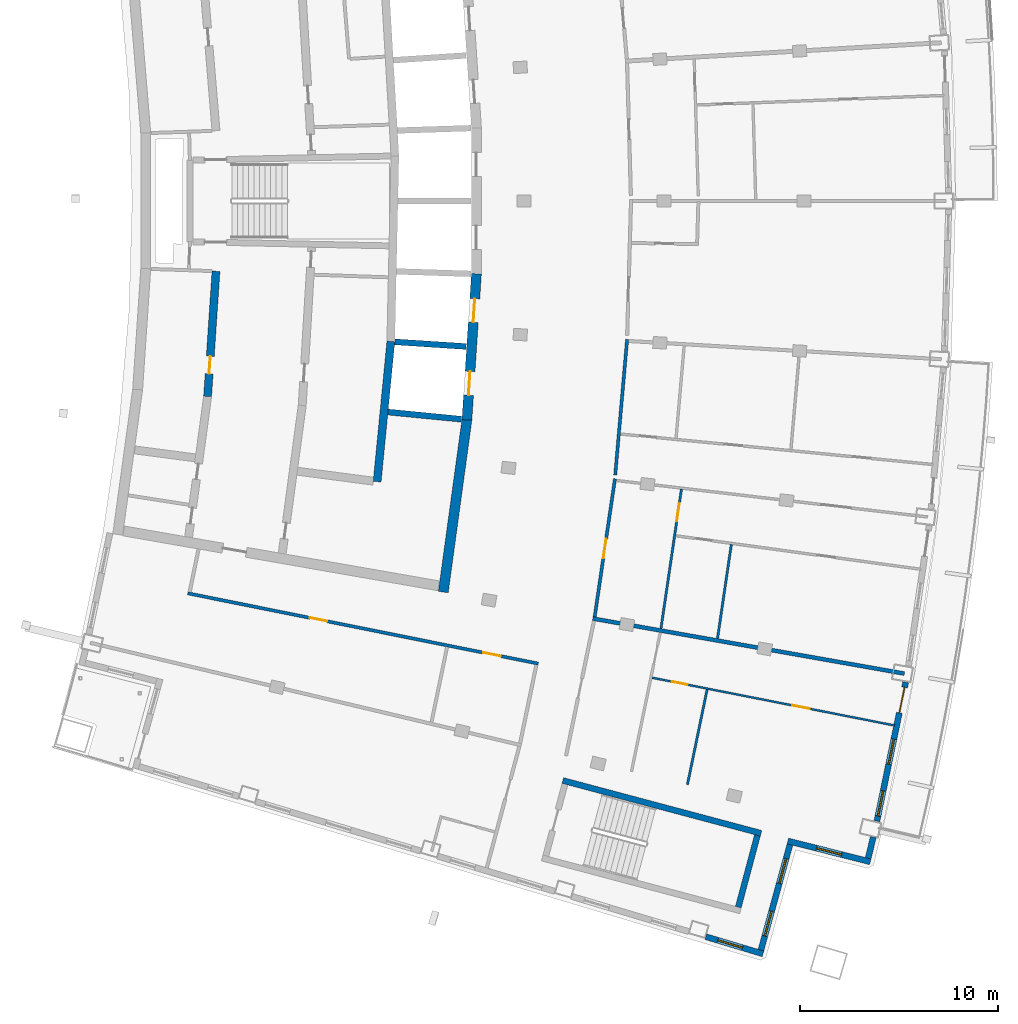
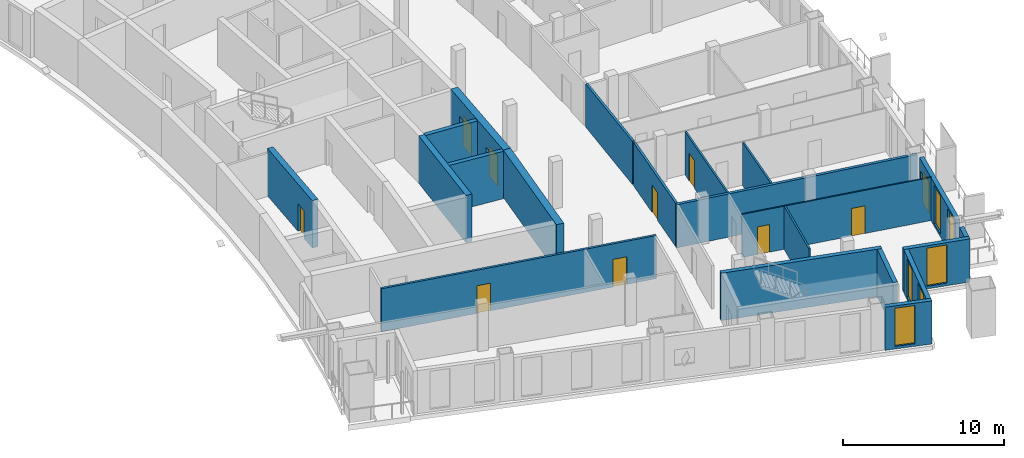
# One storey, part 8 of 15: 21 walls, 10 doors, 6 windows, 16 openings.
"""IFC4 building model written with IfcOpenShell, lengths in metres."""

import ifcopenshell
import ifcopenshell.guid

model = None  # the IFC model being written
_history = None  # IfcOwnerHistory: only IFC2X3 demands one
_inside = {}  # id of a spatial element -> (the spatial element, [elements in it])
_under = {}  # id of a project, library or spatial element -> (it, [spatial elements below it])
_declared = {}  # id of a project -> (the project, [libraries it declares])
_typed = {}  # id of a type object -> (the type object, [elements of that type])
_made_of = {}  # id of a material, layer set ... -> (it, [elements and type objects made of it])


def new_model(schema):
    """Start an empty IFC model of exactly this schema.

    Asked for "IFC4X3", IfcOpenShell would pick the latest addendum, in which some entities
    have other attributes; the version numbers below select the first issue.
    IFC2X3 requires an IfcOwnerHistory on every rooted entity: one is made here for all.
    """
    global model, _history
    if schema == "IFC4X3":
        model = ifcopenshell.file(schema_version=(4, 3, 0, 0))
    else:
        model = ifcopenshell.file(schema=schema)
    _inside.clear()
    _under.clear()
    _declared.clear()
    _typed.clear()
    _made_of.clear()
    _history = None
    if model.schema == "IFC2X3":
        org = make("IfcOrganization", Name="unknown")
        user = make(
            "IfcPersonAndOrganization",
            ThePerson=make("IfcPerson", FamilyName="unknown"),
            TheOrganization=org,
        )
        app = make(
            "IfcApplication",
            ApplicationDeveloper=org,
            Version="unknown",
            ApplicationFullName="unknown",
            ApplicationIdentifier="unknown",
        )
        _history = make(
            "IfcOwnerHistory",
            OwningUser=user,
            OwningApplication=app,
            ChangeAction="ADDED",
            CreationDate=0,
        )
    return model


def make(cls, **values):
    """One entity of the class cls with the attributes given. An attribute that is None is left unset."""
    return model.create_entity(
        cls, **{name: value for name, value in values.items() if value is not None}
    )


def rooted(cls, **values):
    """An entity with a GlobalId (a new one), such as an element, a storey or a relation."""
    return make(cls, GlobalId=ifcopenshell.guid.new(), OwnerHistory=_history, **values)


def si_unit(unit_type, name, prefix=None):
    """IfcSIUnit, for example si_unit("LENGTHUNIT", "METRE", prefix="MILLI")."""
    return make("IfcSIUnit", UnitType=unit_type, Prefix=prefix, Name=name)


def assignment(units):
    """IfcUnitAssignment: the units of a project."""
    return None if units is None else make("IfcUnitAssignment", Units=units)


def point(xyz):
    """IfcCartesianPoint."""
    return None if xyz is None else make("IfcCartesianPoint", Coordinates=xyz)


def direction(xyz):
    """IfcDirection."""
    return None if xyz is None else make("IfcDirection", DirectionRatios=xyz)


def frame(location, z_axis=None, x_axis=None):
    """IfcAxis2Placement3D, a coordinate frame: its origin and axes. An axis left out is left unset."""
    return make(
        "IfcAxis2Placement3D",
        Location=point(location),
        Axis=direction(z_axis),
        RefDirection=direction(x_axis),
    )


def frame_2d(location, x_axis=None):
    """IfcAxis2Placement2D, a coordinate frame in the plane: its origin and x axis."""
    return make(
        "IfcAxis2Placement2D", Location=point(location), RefDirection=direction(x_axis)
    )


def origin():
    """The frame at (0, 0, 0) with its axes left unset."""
    return frame((0.0, 0.0, 0.0))


def place(relative_to, where):
    """IfcLocalPlacement: puts the frame where relative to a parent placement (None: the world)."""
    return make(
        "IfcLocalPlacement", PlacementRelTo=relative_to, RelativePlacement=where
    )


def context(
    kind, dimensions, precision=None, world=None, true_north=None, identifier=None
):
    """IfcGeometricRepresentationContext, for example the 3D "Model" context."""
    return make(
        "IfcGeometricRepresentationContext",
        ContextIdentifier=identifier,
        ContextType=kind,
        CoordinateSpaceDimension=dimensions,
        Precision=precision,
        WorldCoordinateSystem=world,
        TrueNorth=true_north,
    )


def subcontext(parent, identifier, kind, view, scale=None):
    """IfcGeometricRepresentationSubContext, for example "Body" below "Model"."""
    return make(
        "IfcGeometricRepresentationSubContext",
        ContextIdentifier=identifier,
        ContextType=kind,
        ParentContext=parent,
        TargetScale=scale,
        TargetView=view,
    )


def project(units=None, contexts=None):
    """IfcProject with its units and contexts."""
    return rooted(
        "IfcProject",
        Name="project",
        RepresentationContexts=contexts,
        UnitsInContext=assignment(units),
    )


def spatial(cls, under=None, at=None, **own):
    """A site, building, storey or space (cls), placed at a placement, below another one or the project."""
    s = rooted(cls, ObjectPlacement=at, **own)
    if under is not None:
        _under.setdefault(under.id(), (under, []))[1].append(s)
    return s


def profile(cls, at=None, kind="AREA", **sizes):
    """A parametric profile (cls). Its sizes go by their IFC names, for example OverallWidth=200.0."""
    return make(cls, ProfileType=kind, Position=at, **sizes)


def rectangle(**sizes):
    """IfcRectangleProfileDef."""
    return profile("IfcRectangleProfileDef", **sizes)


def extrude(swept, where, along, depth):
    """IfcExtrudedAreaSolid: the profile swept, set in the frame where, extruded along a direction by depth."""
    return make(
        "IfcExtrudedAreaSolid",
        SweptArea=swept,
        Position=where,
        ExtrudedDirection=direction(along),
        Depth=depth,
    )


def shape(context_of_items, identifier, shape_type, items):
    """IfcShapeRepresentation: the items that make up one representation, for example the "Body"."""
    return make(
        "IfcShapeRepresentation",
        ContextOfItems=context_of_items,
        RepresentationIdentifier=identifier,
        RepresentationType=shape_type,
        Items=items,
    )


def material(Name=None, Category=None):
    """IfcMaterial."""
    return make("IfcMaterial", Name=Name, Category=Category)


def layer(
    of_material, thickness, ventilated=None, Name=None, Category=None, Priority=None
):
    """IfcMaterialLayer: one layer of a wall or slab, of a material (None: an air gap)."""
    return make(
        "IfcMaterialLayer",
        Material=of_material,
        LayerThickness=thickness,
        IsVentilated=ventilated,
        Name=Name,
        Category=Category,
        Priority=Priority,
    )


def layer_set(layers, Name=None):
    """IfcMaterialLayerSet."""
    return make("IfcMaterialLayerSet", MaterialLayers=layers, LayerSetName=Name)


def made_of(thing, what):
    """Note that an element or type object is made of a material, layer set ...; save() writes the relation."""
    if what is not None:
        _made_of.setdefault(what.id(), (what, []))[1].append(thing)
    return thing


def type_object(cls, material=None, **own):
    """A type object (cls), such as IfcWallType, which elements share."""
    return made_of(rooted(cls, **own), material)


def element(
    cls,
    number,
    at=None,
    inside=None,
    cuts=None,
    type_object=None,
    material=None,
    context=None,
    identifier="Body",
    shape_type=None,
    held_by="IfcProductDefinitionShape",
    body=None,
    shapes=None,
    **own,
):
    """One element of the class cls, such as IfcWall. Its Tag is "e" and its number.

    at: its placement. inside: the storey or other place that contains it. cuts: it is an
    opening in that element (IfcRelVoidsElement). A single representation is given by context,
    identifier, shape_type and body (its items); several are given by shapes. held_by: the class
    of the entity that holds the representations. save() writes the other relations.
    """
    e = rooted(cls, Tag="e%d" % number, ObjectPlacement=at, **own)
    if body is not None:
        shapes = [shape(context, identifier, shape_type, body)]
    if shapes is not None:
        e.Representation = make(held_by, Representations=shapes)
    if inside is not None:
        _inside.setdefault(inside.id(), (inside, []))[1].append(e)
    if cuts is not None:
        rooted(
            "IfcRelVoidsElement", RelatingBuildingElement=cuts, RelatedOpeningElement=e
        )
    if type_object is not None:
        _typed.setdefault(type_object.id(), (type_object, []))[1].append(e)
    return made_of(e, material)


def fill(opening, filler):
    """IfcRelFillsElement: the door or window that sits in an opening."""
    return rooted(
        "IfcRelFillsElement",
        RelatingOpeningElement=opening,
        RelatedBuildingElement=filler,
    )


def aggregate(whole, parts):
    """IfcRelAggregates: a whole, such as a stair, and the parts it consists of."""
    return rooted("IfcRelAggregates", RelatingObject=whole, RelatedObjects=parts)


def save(model, path):
    """Write the relations noted so far, then the file.

    IfcRelAggregates (storeys below a building ...), IfcRelContainedInSpatialStructure (elements
    in a storey), IfcRelDefinesByType, IfcRelAssociatesMaterial and IfcRelDeclares: one each for
    every whole, place, type object, material and project.
    """
    for whole, parts in _under.values():
        aggregate(whole, parts)
    for where, things in _inside.values():
        rooted(
            "IfcRelContainedInSpatialStructure",
            RelatedElements=things,
            RelatingStructure=where,
        )
    for kind, things in _typed.values():
        rooted("IfcRelDefinesByType", RelatedObjects=things, RelatingType=kind)
    for what, things in _made_of.values():
        rooted("IfcRelAssociatesMaterial", RelatedObjects=things, RelatingMaterial=what)
    for by, libraries in _declared.values():
        rooted("IfcRelDeclares", RelatingContext=by, RelatedDefinitions=libraries)
    model.write(path)


model = new_model("IFC4")

# Units and contexts
model_context = context("Model", 3, precision=1e-05, world=origin(), true_north=direction((0.0, 1.0)))
body_context = subcontext(model_context, "Body", "Model", "MODEL_VIEW")
ifc_project = project(units=[si_unit("LENGTHUNIT", "METRE"), si_unit("AREAUNIT", "SQUARE_METRE"), si_unit("VOLUMEUNIT", "CUBIC_METRE"), si_unit("PLANEANGLEUNIT", "RADIAN"), si_unit("MASSUNIT", "GRAM", prefix="KILO")], contexts=[model_context])

# Site, building, storey
site_placement = place(None, origin())
site = spatial("IfcSite", under=ifc_project, at=site_placement, CompositionType="ELEMENT")
building_placement = place(site_placement, origin())
building = spatial("IfcBuilding", under=site, at=building_placement, Name="Alderwake Tower", CompositionType="ELEMENT")
storey_placement = place(building_placement, frame((0.0, 0.0, 252.800048828125)))
storey = spatial("IfcBuildingStorey", under=building, at=storey_placement, Name="L62", CompositionType="ELEMENT", Elevation=252.800048828125)

# Wall
ifc_material_1 = material(Name="Concrete C70/85", Category="concrete")
ifc_layer_1 = layer(ifc_material_1, 0.5)
ifc_layer_set_1 = layer_set([ifc_layer_1], Name="Core wall outer 500 C70-85")
wall_type_1 = type_object("IfcWallType", Name="Core wall outer 500 C70-85", PredefinedType="SHEAR", material=ifc_layer_set_1)
wall_1_placement = place(storey_placement, frame((31.71728515625, 41.247314453125, 0.0), z_axis=(0.0, 0.0, 1.0), x_axis=(0.1358539401, 0.990728876615, 0.0)))
element("IfcWall", 1, at=wall_1_placement, inside=storey, type_object=wall_type_1, Name="Core wall CW.022", PredefinedType="SHEAR", context=body_context, shape_type="SweptSolid", body=[
    extrude(rectangle(XDim=8.794921875, YDim=0.5, at=frame_2d((4.3974609375, 0.0))), origin(), (0.0, 0.0, 1.0), 3.599853515625),
])

# Wall, openings, doors
wall_2_placement = place(storey_placement, frame((32.91015625, 49.942138671875, 0.0), z_axis=(0.0, 0.0, 1.0), x_axis=(0.064980500916, 0.997886533881, 0.0)))
wall_2 = element("IfcWall", 2, at=wall_2_placement, inside=storey, type_object=wall_type_1, Name="Core wall CW.021", PredefinedType="SHEAR", context=body_context, shape_type="SweptSolid", body=[
    extrude(rectangle(XDim=7.39404296875, YDim=0.5, at=frame_2d((3.697021484375, 0.0))), origin(), (0.0, 0.0, 1.0), 3.599853515625),
])
opening_1_placement = place(wall_2_placement, frame((1.253173828125, 0.0, 0.0)))
opening_1 = element("IfcOpeningElement", 3, at=opening_1_placement, cuts=wall_2, Name="Opening LD-HP1", PredefinedType="OPENING", context=body_context, shape_type="SweptSolid", body=[
    extrude(rectangle(XDim=1.199951171875, YDim=2.300048828125, at=frame_2d((0.60009765625, 1.14990234375))), frame((0.0, 0.260009765625, 0.0), z_axis=(0.0, -1.0, 0.0), x_axis=(1.0, 0.0, 0.0)), (0.0, 0.0, 1.0), 0.52001953125),
])
opening_2_placement = place(wall_2_placement, frame((4.941650390625, 0.0, 0.0)))
opening_2 = element("IfcOpeningElement", 4, at=opening_2_placement, cuts=wall_2, Name="Opening LD-HP2", PredefinedType="OPENING", context=body_context, shape_type="SweptSolid", body=[
    extrude(rectangle(XDim=1.199951171875, YDim=2.300048828125, at=frame_2d((0.60009765625, 1.14990234375))), frame((0.0, 0.260009765625, 0.0), z_axis=(0.0, -1.0, 0.0), x_axis=(1.0, 0.0, 0.0)), (0.0, 0.0, 1.0), 0.52001953125),
])
ifc_material_2 = material(Name="Stainless steel sliding leaf", Category="steel")
door_type_1 = type_object("IfcDoorType", Name="Lift landing door 1200", OperationType="SLIDING_TO_LEFT", PredefinedType="DOOR", material=ifc_material_2)
door_1_placement = place(opening_1_placement, origin())
door_1 = element("IfcDoor", 5, at=door_1_placement, inside=storey, type_object=door_type_1, Name="Lift landing door HP1", OperationType="SLIDING_TO_LEFT", OverallHeight=2.300048828125, OverallWidth=1.199951171875, PredefinedType="DOOR", context=body_context, shape_type="SweptSolid", body=[
    extrude(rectangle(XDim=1.199951171875, YDim=2.300048828125, at=frame_2d((0.60009765625, 1.14990234375))), frame((0.0, 0.02490234375, 0.0), z_axis=(0.0, -1.0, 0.0), x_axis=(1.0, 0.0, 0.0)), (0.0, 0.0, 1.0), 0.050048828125),
])
fill(opening_1, door_1)
door_2_placement = place(opening_2_placement, origin())
door_2 = element("IfcDoor", 6, at=door_2_placement, inside=storey, type_object=door_type_1, Name="Lift landing door HP2", OperationType="SLIDING_TO_LEFT", OverallHeight=2.300048828125, OverallWidth=1.199951171875, PredefinedType="DOOR", context=body_context, shape_type="SweptSolid", body=[
    extrude(rectangle(XDim=1.199951171875, YDim=2.300048828125, at=frame_2d((0.60009765625, 1.14990234375))), frame((0.0, 0.02490234375, 0.0), z_axis=(0.0, -1.0, 0.0), x_axis=(1.0, 0.0, 0.0)), (0.0, 0.0, 1.0), 0.050048828125),
])
fill(opening_2, door_2)

# Walls
ifc_material_3 = material(Name="Concrete C70/85", Category="concrete")
ifc_layer_2 = layer(ifc_material_3, 0.300048828125)
ifc_layer_set_2 = layer_set([ifc_layer_2], Name="Core wall shaft 300 C70-85")
wall_type_2 = type_object("IfcWallType", Name="Core wall shaft 300 C70-85", PredefinedType="SHEAR", material=ifc_layer_set_2)
wall_3_placement = place(storey_placement, frame((28.922119140625, 50.341796875, 0.0), z_axis=(0.0, 0.0, 1.0), x_axis=(0.995245719762, -0.097395879255, 0.0)))
element("IfcWall", 7, at=wall_3_placement, inside=storey, type_object=wall_type_2, Name="Core wall CW.064", PredefinedType="SHEAR", context=body_context, shape_type="SweptSolid", body=[
    extrude(rectangle(XDim=3.7275390625, YDim=0.300048828125, at=frame_2d((1.86376953125, 0.0))), origin(), (0.0, 0.0, 1.0), 3.599853515625),
])
wall_4_placement = place(storey_placement, frame((29.268798828125, 53.884521484375, 0.0), z_axis=(0.0, 0.0, 1.0), x_axis=(0.997885735437, -0.064992761217, 0.0)))
element("IfcWall", 8, at=wall_4_placement, inside=storey, type_object=wall_type_2, Name="Core wall CW.078", PredefinedType="SHEAR", context=body_context, shape_type="SweptSolid", body=[
    extrude(rectangle(XDim=3.60986328125, YDim=0.300048828125, at=frame_2d((1.804931640625, 0.0))), origin(), (0.0, 0.0, 1.0), 3.599853515625),
])

# Wall, opening, door
ifc_material_4 = material(Name="Concrete C70/85", Category="concrete")
ifc_layer_3 = layer(ifc_material_4, 0.39990234375)
ifc_layer_set_3 = layer_set([ifc_layer_3], Name="Core wall spine 400 C70-85")
wall_type_3 = type_object("IfcWallType", Name="Core wall spine 400 C70-85", PredefinedType="SHEAR", material=ifc_layer_set_3)
wall_5_placement = place(storey_placement, frame((20.2373046875, 57.451904296875, 0.0), z_axis=(0.0, 0.0, 1.0), x_axis=(-0.066884681503, -0.997760712486, 0.0)))
wall_5 = element("IfcWall", 9, at=wall_5_placement, inside=storey, type_object=wall_type_3, Name="Core wall CW.032", PredefinedType="SHEAR", context=body_context, shape_type="SweptSolid", body=[
    extrude(rectangle(XDim=6.336669921875, YDim=0.39990234375, at=frame_2d((3.16845703125, 0.0))), origin(), (0.0, 0.0, 1.0), 3.599853515625),
])
opening_3_placement = place(wall_5_placement, frame((4.29736328125, 0.0, 0.0)))
opening_3 = element("IfcOpeningElement", 10, at=opening_3_placement, cuts=wall_5, Name="Opening C037", PredefinedType="OPENING", context=body_context, shape_type="SweptSolid", body=[
    extrude(rectangle(XDim=0.89990234375, YDim=2.10009765625, at=frame_2d((0.449951171875, 1.050048828125))), frame((0.0, 0.2099609375, 0.0), z_axis=(0.0, -1.0, 0.0), x_axis=(1.0, 0.0, 0.0)), (0.0, 0.0, 1.0), 0.419921875),
])
ifc_material_5 = material(Name="Painted steel leaf", Category="steel")
door_type_2 = type_object("IfcDoorType", Name="Core room door 900", OperationType="SINGLE_SWING_LEFT", PredefinedType="DOOR", material=ifc_material_5)
door_3_placement = place(opening_3_placement, origin())
door_3 = element("IfcDoor", 11, at=door_3_placement, inside=storey, type_object=door_type_2, Name="Room door", OperationType="SINGLE_SWING_RIGHT", OverallHeight=2.10009765625, OverallWidth=0.89990234375, PredefinedType="DOOR", context=body_context, shape_type="SweptSolid", body=[
    extrude(rectangle(XDim=0.89990234375, YDim=2.10009765625, at=frame_2d((0.449951171875, 1.050048828125))), frame((0.0, 0.02490234375, 0.0), z_axis=(0.0, -1.0, 0.0), x_axis=(1.0, 0.0, 0.0)), (0.0, 0.0, 1.0), 0.050048828125),
])
fill(opening_3, door_3)

# Walls
wall_6_placement = place(storey_placement, frame((28.376953125, 46.8251953125, 0.0), z_axis=(0.0, 0.0, 1.0), x_axis=(0.097393469943, 0.995245955537, 0.0)))
element("IfcWall", 12, at=wall_6_placement, inside=storey, type_object=wall_type_3, Name="Core wall CW.005", PredefinedType="SHEAR", context=body_context, shape_type="SweptSolid", body=[
    extrude(rectangle(XDim=7.1142578125, YDim=0.39990234375, at=frame_2d((3.55712890625, 0.0))), origin(), (0.0, 0.0, 1.0), 3.599853515625),
])
ifc_material_6 = material(Name="Concrete C70/85", Category="concrete")
ifc_layer_4 = layer(ifc_material_6, 0.300048828125)
ifc_layer_set_4 = layer_set([ifc_layer_4], Name="Core wall stair enclosure 300 C70-85")
wall_type_4 = type_object("IfcWallType", Name="Core wall stair enclosure 300 C70-85", PredefinedType="SHEAR", material=ifc_layer_set_4)
wall_7_placement = place(storey_placement, frame((37.75390625, 31.731201171875, 0.0), z_axis=(0.0, 0.0, 1.0), x_axis=(0.966309214305, -0.257383958996, 0.0)))
element("IfcWall", 13, at=wall_7_placement, inside=storey, type_object=wall_type_4, Name="Core wall CW.086", PredefinedType="SHEAR", context=body_context, shape_type="SweptSolid", body=[
    extrude(rectangle(XDim=10.360107421875, YDim=0.300048828125, at=frame_2d((5.18017578125, 0.0))), origin(), (0.0, 0.0, 1.0), 3.599853515625),
])
wall_8_placement = place(storey_placement, frame((46.6162109375, 25.334716796875, 0.0), z_axis=(0.0, 0.0, 1.0), x_axis=(0.257366821694, 0.966313778796, 0.0)))
element("IfcWall", 14, at=wall_8_placement, inside=storey, type_object=wall_type_4, Name="Core wall CW.085", PredefinedType="SHEAR", context=body_context, shape_type="SweptSolid", body=[
    extrude(rectangle(XDim=3.749755859375, YDim=0.300048828125, at=frame_2d((1.875, 0.0))), origin(), (0.0, 0.0, 1.0), 3.599853515625),
])

# Wall, openings, doors
ifc_material_7 = material(Name="Gypsum board on metal studs, rated")
ifc_layer_5 = layer(ifc_material_7, 0.159912109375)
ifc_layer_set_5 = layer_set([ifc_layer_5], Name="Corridor wall 160")
wall_type_5 = type_object("IfcWallType", Name="Corridor wall 160", PredefinedType="PARTITIONING", material=ifc_layer_set_5)
wall_9_placement = place(storey_placement, frame((36.513427734375, 37.63427734375, 0.0), z_axis=(0.0, 0.0, 1.0), x_axis=(-0.980470254867, 0.1966674333, 0.0)))
wall_9 = element("IfcWall", 15, at=wall_9_placement, inside=storey, type_object=wall_type_5, Name="WL/L62/W09", PredefinedType="PARTITIONING", context=body_context, shape_type="SweptSolid", body=[
    extrude(rectangle(XDim=18.053466796875, YDim=0.159912109375, at=frame_2d((9.02685546875, 0.0))), origin(), (0.0, 0.0, 1.0), 3.280029296875),
])
opening_4_placement = place(wall_9_placement, frame((10.876708984375, 0.0, 0.0)))
opening_4 = element("IfcOpeningElement", 16, at=opening_4_placement, cuts=wall_9, Name="Opening R17-SBS1", PredefinedType="OPENING", context=body_context, shape_type="SweptSolid", body=[
    extrude(rectangle(XDim=0.89990234375, YDim=2.10009765625, at=frame_2d((0.449951171875, 1.050048828125))), frame((0.0, 0.08984375, 0.0), z_axis=(0.0, -1.0, 0.0), x_axis=(1.0, 0.0, 0.0)), (0.0, 0.0, 1.0), 0.179931640625),
])
opening_5_placement = place(wall_9_placement, frame((1.9306640625, 0.0, 0.0)))
opening_5 = element("IfcOpeningElement", 17, at=opening_5_placement, cuts=wall_9, Name="Opening R17-SBS2", PredefinedType="OPENING", context=body_context, shape_type="SweptSolid", body=[
    extrude(rectangle(XDim=0.89990234375, YDim=2.10009765625, at=frame_2d((0.449951171875, 1.050048828125))), frame((0.0, 0.08984375, 0.0), z_axis=(0.0, -1.0, 0.0), x_axis=(1.0, 0.0, 0.0)), (0.0, 0.0, 1.0), 0.179931640625),
])
ifc_material_8 = material(Name="Painted timber leaf", Category="wood")
door_type_3 = type_object("IfcDoorType", Name="Room door 900", OperationType="SINGLE_SWING_LEFT", PredefinedType="DOOR", material=ifc_material_8)
door_4_placement = place(opening_4_placement, origin())
door_4 = element("IfcDoor", 18, at=door_4_placement, inside=storey, type_object=door_type_3, Name="DR/L62/SBS1", OperationType="SINGLE_SWING_LEFT", OverallHeight=2.10009765625, OverallWidth=0.89990234375, PredefinedType="DOOR", context=body_context, shape_type="SweptSolid", body=[
    extrude(rectangle(XDim=0.89990234375, YDim=2.10009765625, at=frame_2d((0.449951171875, 1.050048828125))), frame((0.0, 0.02490234375, 0.0), z_axis=(0.0, -1.0, 0.0), x_axis=(1.0, 0.0, 0.0)), (0.0, 0.0, 1.0), 0.050048828125),
])
fill(opening_4, door_4)
door_5_placement = place(opening_5_placement, origin())
door_5 = element("IfcDoor", 19, at=door_5_placement, inside=storey, type_object=door_type_3, Name="DR/L62/SBS2", OperationType="SINGLE_SWING_LEFT", OverallHeight=2.10009765625, OverallWidth=0.89990234375, PredefinedType="DOOR", context=body_context, shape_type="SweptSolid", body=[
    extrude(rectangle(XDim=0.89990234375, YDim=2.10009765625, at=frame_2d((0.449951171875, 1.050048828125))), frame((0.0, 0.02490234375, 0.0), z_axis=(0.0, -1.0, 0.0), x_axis=(1.0, 0.0, 0.0)), (0.0, 0.0, 1.0), 0.050048828125),
])
fill(opening_5, door_5)

# Wall, opening, door
wall_10_placement = place(storey_placement, frame((40.388671875, 46.97216796875, 0.0), z_axis=(0.0, 0.0, 1.0), x_axis=(-0.145525888156, -0.989354444007, 0.0)))
wall_10 = element("IfcWall", 20, at=wall_10_placement, inside=storey, type_object=wall_type_5, Name="WL/L62/W19", PredefinedType="PARTITIONING", context=body_context, shape_type="SweptSolid", body=[
    extrude(rectangle(XDim=7.051025390625, YDim=0.159912109375, at=frame_2d((3.525390625, 0.0))), origin(), (0.0, 0.0, 1.0), 3.280029296875),
])
opening_6_placement = place(wall_10_placement, frame((3.066162109375, 0.0, 0.0)))
opening_6 = element("IfcOpeningElement", 21, at=opening_6_placement, cuts=wall_10, Name="Opening R17-U04.1", PredefinedType="OPENING", context=body_context, shape_type="SweptSolid", body=[
    extrude(rectangle(XDim=1.0, YDim=2.10009765625, at=frame_2d((0.5, 1.050048828125))), frame((0.0, 0.08984375, 0.0), z_axis=(0.0, -1.0, 0.0), x_axis=(1.0, 0.0, 0.0)), (0.0, 0.0, 1.0), 0.179931640625),
])
ifc_material_9 = material(Name="Solid timber leaf in steel frame", Category="steel")
door_type_4 = type_object("IfcDoorType", Name="Flat entrance door 1000 fire-rated", OperationType="SINGLE_SWING_LEFT", PredefinedType="DOOR", material=ifc_material_9)
door_6_placement = place(opening_6_placement, origin())
door_6 = element("IfcDoor", 22, at=door_6_placement, inside=storey, type_object=door_type_4, Name="DR/L62/U04.1", OperationType="SINGLE_SWING_LEFT", OverallHeight=2.10009765625, OverallWidth=1.0, PredefinedType="DOOR", context=body_context, shape_type="SweptSolid", body=[
    extrude(rectangle(XDim=1.0, YDim=2.10009765625, at=frame_2d((0.5, 1.050048828125))), frame((0.0, 0.02490234375, 0.0), z_axis=(0.0, -1.0, 0.0), x_axis=(1.0, 0.0, 0.0)), (0.0, 0.0, 1.0), 0.050048828125),
])
fill(opening_6, door_6)

# Walls
wall_11_placement = place(storey_placement, frame((40.400390625, 47.15869140625, 0.0), z_axis=(0.0, 0.0, 1.0), x_axis=(0.087419573149, 0.996171580718, 0.0)))
element("IfcWall", 23, at=wall_11_placement, inside=storey, type_object=wall_type_5, Name="WL/L62/W21", PredefinedType="PARTITIONING", context=body_context, shape_type="SweptSolid", body=[
    extrude(rectangle(XDim=6.88134765625, YDim=0.159912109375, at=frame_2d((3.440673828125, 0.0))), origin(), (0.0, 0.0, 1.0), 3.280029296875),
])
ifc_material_10 = material(Name="Precast concrete C50/60 spandrel panel", Category="concrete")
ifc_layer_6 = layer(ifc_material_10, 0.300048828125)
ifc_layer_set_6 = layer_set([ifc_layer_6], Name="External wall EW1 Precast concrete C50/60 spandrel")
wall_type_6 = type_object("IfcWallType", Name="External wall EW1 Precast concrete C50/60 spandrel", PredefinedType="SOLIDWALL", material=ifc_layer_set_6)
wall_12_placement = place(storey_placement, frame((53.1728515625, 27.806396484375, 0.0), z_axis=(0.0, 0.0, 1.0), x_axis=(0.238288905539, 0.971194315005, 0.0)))
element("IfcWall", 24, at=wall_12_placement, inside=storey, type_object=wall_type_6, Name="External wall 11", PredefinedType="SOLIDWALL", context=body_context, shape_type="SweptSolid", body=[
    extrude(rectangle(XDim=1.09619140625, YDim=0.300048828125, at=frame_2d((0.548095703125, 0.0))), origin(), (0.0, 0.0, 1.0), 3.280029296875),
])

# Wall, openings, door, windows
wall_13_placement = place(storey_placement, frame((53.6162109375, 29.677734375, 0.0), z_axis=(0.0, 0.0, 1.0), x_axis=(0.202732982931, 0.979234056614, 0.0)))
wall_13 = element("IfcWall", 25, at=wall_13_placement, inside=storey, type_object=wall_type_6, Name="External wall 12", PredefinedType="SOLIDWALL", context=body_context, shape_type="SweptSolid", body=[
    extrude(rectangle(XDim=7.16162109375, YDim=0.300048828125, at=frame_2d((3.580810546875, 0.0))), origin(), (0.0, 0.0, 1.0), 3.280029296875),
])
opening_7_placement = place(wall_13_placement, frame((0.267333984375, 0.0, 0.199951171875)))
opening_7 = element("IfcOpeningElement", 26, at=opening_7_placement, cuts=wall_13, Name="Opening W1", PredefinedType="OPENING", context=body_context, shape_type="SweptSolid", body=[
    extrude(rectangle(XDim=1.300048828125, YDim=2.89990234375, at=frame_2d((0.64990234375, 1.449951171875))), frame((0.0, 0.159912109375, 0.0), z_axis=(0.0, -1.0, 0.0), x_axis=(1.0, 0.0, 0.0)), (0.0, 0.0, 1.0), 0.320068359375),
])
opening_8_placement = place(wall_13_placement, frame((2.930908203125, 0.0, 0.199951171875)))
opening_8 = element("IfcOpeningElement", 27, at=opening_8_placement, cuts=wall_13, Name="Opening W1", PredefinedType="OPENING", context=body_context, shape_type="SweptSolid", body=[
    extrude(rectangle(XDim=1.300048828125, YDim=2.89990234375, at=frame_2d((0.64990234375, 1.449951171875))), frame((0.0, 0.159912109375, 0.0), z_axis=(0.0, -1.0, 0.0), x_axis=(1.0, 0.0, 0.0)), (0.0, 0.0, 1.0), 0.320068359375),
])
opening_9_placement = place(wall_13_placement, frame((5.594482421875, 0.0, 0.0)))
opening_9 = element("IfcOpeningElement", 28, at=opening_9_placement, cuts=wall_13, Name="Opening D02", PredefinedType="OPENING", context=body_context, shape_type="SweptSolid", body=[
    extrude(rectangle(XDim=1.300048828125, YDim=2.39990234375, at=frame_2d((0.64990234375, 1.199951171875))), frame((0.0, 0.159912109375, 0.0), z_axis=(0.0, -1.0, 0.0), x_axis=(1.0, 0.0, 0.0)), (0.0, 0.0, 1.0), 0.320068359375),
])
ifc_material_11 = material(Name="Bronze tinted glass in aluminium frame", Category="aluminium")
door_type_5 = type_object("IfcDoorType", Name="Balcony door BD sliding", OperationType="SLIDING_TO_LEFT", PredefinedType="DOOR", material=ifc_material_11)
door_7_placement = place(opening_9_placement, origin())
door_7 = element("IfcDoor", 29, at=door_7_placement, inside=storey, type_object=door_type_5, Name="Door D02", OperationType="SLIDING_TO_LEFT", OverallHeight=2.39990234375, OverallWidth=1.300048828125, PredefinedType="DOOR", context=body_context, shape_type="SweptSolid", body=[
    extrude(rectangle(XDim=1.300048828125, YDim=2.39990234375, at=frame_2d((0.64990234375, 1.199951171875))), frame((0.0, 0.02490234375, 0.0), z_axis=(0.0, -1.0, 0.0), x_axis=(1.0, 0.0, 0.0)), (0.0, 0.0, 1.0), 0.050048828125),
])
fill(opening_9, door_7)
ifc_material_12 = material(Name="Bronze tinted glass in aluminium frame", Category="aluminium")
window_type = type_object("IfcWindowType", Name="Window W1 tall fixed and vent", PartitioningType="DOUBLE_PANEL_VERTICAL", PredefinedType="WINDOW", material=ifc_material_12)
window_1_placement = place(opening_7_placement, origin())
window_1 = element("IfcWindow", 30, at=window_1_placement, inside=storey, type_object=window_type, Name="Window W1 tall fixed and vent", OverallHeight=2.89990234375, OverallWidth=1.300048828125, PartitioningType="DOUBLE_PANEL_VERTICAL", PredefinedType="WINDOW", context=body_context, shape_type="SweptSolid", body=[
    extrude(rectangle(XDim=1.300048828125, YDim=2.89990234375, at=frame_2d((0.64990234375, 1.449951171875))), frame((0.0, 0.030029296875, 0.0), z_axis=(0.0, -1.0, 0.0), x_axis=(1.0, 0.0, 0.0)), (0.0, 0.0, 1.0), 0.06005859375),
])
fill(opening_7, window_1)
window_2_placement = place(opening_8_placement, origin())
window_2 = element("IfcWindow", 31, at=window_2_placement, inside=storey, type_object=window_type, Name="Window W1 tall fixed and vent", OverallHeight=2.89990234375, OverallWidth=1.300048828125, PartitioningType="DOUBLE_PANEL_VERTICAL", PredefinedType="WINDOW", context=body_context, shape_type="SweptSolid", body=[
    extrude(rectangle(XDim=1.300048828125, YDim=2.89990234375, at=frame_2d((0.64990234375, 1.449951171875))), frame((0.0, 0.030029296875, 0.0), z_axis=(0.0, -1.0, 0.0), x_axis=(1.0, 0.0, 0.0)), (0.0, 0.0, 1.0), 0.06005859375),
])
fill(opening_8, window_2)

# Wall, opening, window
ifc_material_13 = material(Name="Bronze metal cladding on lightweight framing")
ifc_layer_7 = layer(ifc_material_13, 0.300048828125)
ifc_layer_set_7 = layer_set([ifc_layer_7], Name="External wall EW2 bronze metal cladding")
wall_type_7 = type_object("IfcWallType", Name="External wall EW2 bronze metal cladding", PredefinedType="SOLIDWALL", material=ifc_layer_set_7)
wall_14_placement = place(storey_placement, frame((44.9775390625, 23.843505859375, 0.0), z_axis=(0.0, 0.0, 1.0), x_axis=(0.957781669683, -0.287496562101, 0.0)))
wall_14 = element("IfcWall", 32, at=wall_14_placement, inside=storey, type_object=wall_type_7, Name="External wall 8", PredefinedType="SOLIDWALL", context=body_context, shape_type="SweptSolid", body=[
    extrude(rectangle(XDim=3.012939453125, YDim=0.300048828125, at=frame_2d((1.50634765625, 0.0))), origin(), (0.0, 0.0, 1.0), 3.280029296875),
])
opening_10_placement = place(wall_14_placement, frame((0.630859375, 0.0, 0.199951171875)))
opening_10 = element("IfcOpeningElement", 33, at=opening_10_placement, cuts=wall_14, Name="Opening W1", PredefinedType="OPENING", context=body_context, shape_type="SweptSolid", body=[
    extrude(rectangle(XDim=1.300048828125, YDim=2.89990234375, at=frame_2d((0.64990234375, 1.449951171875))), frame((0.0, 0.159912109375, 0.0), z_axis=(0.0, -1.0, 0.0), x_axis=(1.0, 0.0, 0.0)), (0.0, 0.0, 1.0), 0.320068359375),
])
window_3_placement = place(opening_10_placement, origin())
window_3 = element("IfcWindow", 34, at=window_3_placement, inside=storey, type_object=window_type, Name="Window W1 tall fixed and vent", OverallHeight=2.89990234375, OverallWidth=1.300048828125, PartitioningType="DOUBLE_PANEL_VERTICAL", PredefinedType="WINDOW", context=body_context, shape_type="SweptSolid", body=[
    extrude(rectangle(XDim=1.300048828125, YDim=2.89990234375, at=frame_2d((0.64990234375, 1.449951171875))), frame((0.0, 0.030029296875, 0.0), z_axis=(0.0, -1.0, 0.0), x_axis=(1.0, 0.0, 0.0)), (0.0, 0.0, 1.0), 0.06005859375),
])
fill(opening_10, window_3)

# Wall, openings, windows
wall_15_placement = place(storey_placement, frame((47.759521484375, 23.164794921875, 0.0), z_axis=(0.0, 0.0, 1.0), x_axis=(0.265055910213, 0.964233044684, 0.0)))
wall_15 = element("IfcWall", 35, at=wall_15_placement, inside=storey, type_object=wall_type_7, Name="External wall 9", PredefinedType="SOLIDWALL", context=body_context, shape_type="SweptSolid", body=[
    extrude(rectangle(XDim=5.529296875, YDim=0.300048828125, at=frame_2d((2.7646484375, 0.0))), origin(), (0.0, 0.0, 1.0), 3.280029296875),
])
opening_11_placement = place(wall_15_placement, frame((0.732421875, 0.0, 0.199951171875)))
opening_11 = element("IfcOpeningElement", 36, at=opening_11_placement, cuts=wall_15, Name="Opening W1", PredefinedType="OPENING", context=body_context, shape_type="SweptSolid", body=[
    extrude(rectangle(XDim=1.300048828125, YDim=2.89990234375, at=frame_2d((0.64990234375, 1.449951171875))), frame((0.0, 0.159912109375, 0.0), z_axis=(0.0, -1.0, 0.0), x_axis=(1.0, 0.0, 0.0)), (0.0, 0.0, 1.0), 0.320068359375),
])
opening_12_placement = place(wall_15_placement, frame((3.496826171875, 0.0, 0.199951171875)))
opening_12 = element("IfcOpeningElement", 37, at=opening_12_placement, cuts=wall_15, Name="Opening W1", PredefinedType="OPENING", context=body_context, shape_type="SweptSolid", body=[
    extrude(rectangle(XDim=1.300048828125, YDim=2.89990234375, at=frame_2d((0.64990234375, 1.449951171875))), frame((0.0, 0.159912109375, 0.0), z_axis=(0.0, -1.0, 0.0), x_axis=(1.0, 0.0, 0.0)), (0.0, 0.0, 1.0), 0.320068359375),
])
window_4_placement = place(opening_11_placement, origin())
window_4 = element("IfcWindow", 38, at=window_4_placement, inside=storey, type_object=window_type, Name="Window W1 tall fixed and vent", OverallHeight=2.89990234375, OverallWidth=1.300048828125, PartitioningType="DOUBLE_PANEL_VERTICAL", PredefinedType="WINDOW", context=body_context, shape_type="SweptSolid", body=[
    extrude(rectangle(XDim=1.300048828125, YDim=2.89990234375, at=frame_2d((0.64990234375, 1.449951171875))), frame((0.0, 0.030029296875, 0.0), z_axis=(0.0, -1.0, 0.0), x_axis=(1.0, 0.0, 0.0)), (0.0, 0.0, 1.0), 0.06005859375),
])
fill(opening_11, window_4)
window_5_placement = place(opening_12_placement, origin())
window_5 = element("IfcWindow", 39, at=window_5_placement, inside=storey, type_object=window_type, Name="Window W1 tall fixed and vent", OverallHeight=2.89990234375, OverallWidth=1.300048828125, PartitioningType="DOUBLE_PANEL_VERTICAL", PredefinedType="WINDOW", context=body_context, shape_type="SweptSolid", body=[
    extrude(rectangle(XDim=1.300048828125, YDim=2.89990234375, at=frame_2d((0.64990234375, 1.449951171875))), frame((0.0, 0.030029296875, 0.0), z_axis=(0.0, -1.0, 0.0), x_axis=(1.0, 0.0, 0.0)), (0.0, 0.0, 1.0), 0.06005859375),
])
fill(opening_12, window_5)

# Wall, opening, window
wall_16_placement = place(storey_placement, frame((49.11962890625, 28.677734375, 0.0), z_axis=(0.0, 0.0, 1.0), x_axis=(0.969425962264, -0.245383992325, 0.0)))
wall_16 = element("IfcWall", 40, at=wall_16_placement, inside=storey, type_object=wall_type_7, Name="External wall 10", PredefinedType="SOLIDWALL", context=body_context, shape_type="SweptSolid", body=[
    extrude(rectangle(XDim=4.294189453125, YDim=0.300048828125, at=frame_2d((2.14697265625, 0.0))), origin(), (0.0, 0.0, 1.0), 3.280029296875),
])
opening_13_placement = place(wall_16_placement, frame((1.4970703125, 0.0, 0.199951171875)))
opening_13 = element("IfcOpeningElement", 41, at=opening_13_placement, cuts=wall_16, Name="Opening W1", PredefinedType="OPENING", context=body_context, shape_type="SweptSolid", body=[
    extrude(rectangle(XDim=1.300048828125, YDim=2.89990234375, at=frame_2d((0.64990234375, 1.449951171875))), frame((0.0, 0.159912109375, 0.0), z_axis=(0.0, -1.0, 0.0), x_axis=(1.0, 0.0, 0.0)), (0.0, 0.0, 1.0), 0.320068359375),
])
window_6_placement = place(opening_13_placement, origin())
window_6 = element("IfcWindow", 42, at=window_6_placement, inside=storey, type_object=window_type, Name="Window W1 tall fixed and vent", OverallHeight=2.89990234375, OverallWidth=1.300048828125, PartitioningType="DOUBLE_PANEL_VERTICAL", PredefinedType="WINDOW", context=body_context, shape_type="SweptSolid", body=[
    extrude(rectangle(XDim=1.300048828125, YDim=2.89990234375, at=frame_2d((0.64990234375, 1.449951171875))), frame((0.0, 0.030029296875, 0.0), z_axis=(0.0, -1.0, 0.0), x_axis=(1.0, 0.0, 0.0)), (0.0, 0.0, 1.0), 0.06005859375),
])
fill(opening_13, window_6)

# Wall
ifc_material_14 = material(Name="Dense block masonry wall", Category="masonry")
ifc_layer_8 = layer(ifc_material_14, 0.199951171875)
ifc_layer_set_8 = layer_set([ifc_layer_8], Name="Party wall 200")
wall_type_8 = type_object("IfcWallType", Name="Party wall 200", PredefinedType="SOLIDWALL", material=ifc_layer_set_8)
wall_17_placement = place(storey_placement, frame((55.0048828125, 37.131103515625, 0.0), z_axis=(0.0, 0.0, 1.0), x_axis=(-0.984752319184, 0.173962265624, 0.0)))
element("IfcWall", 43, at=wall_17_placement, inside=storey, type_object=wall_type_8, Name="WL/L62/W02", PredefinedType="SOLIDWALL", context=body_context, shape_type="SweptSolid", body=[
    extrude(rectangle(XDim=15.979248046875, YDim=0.199951171875, at=frame_2d((7.98974609375, 0.0))), origin(), (0.0, 0.0, 1.0), 3.280029296875),
])

# Wall, openings, doors
ifc_material_15 = material(Name="Gypsum board on metal studs")
ifc_layer_9 = layer(ifc_material_15, 0.10009765625)
ifc_layer_set_9 = layer_set([ifc_layer_9], Name="Unit partition 100")
wall_type_9 = type_object("IfcWallType", Name="Unit partition 100", PredefinedType="PARTITIONING", material=ifc_layer_set_9)
wall_18_placement = place(storey_placement, frame((54.512939453125, 34.509033203125, 0.0), z_axis=(0.0, 0.0, 1.0), x_axis=(-0.981147486364, 0.193260471907, 0.0)))
wall_18 = element("IfcWall", 44, at=wall_18_placement, inside=storey, type_object=wall_type_9, Name="WL/L62/W48", PredefinedType="PARTITIONING", context=body_context, shape_type="SweptSolid", body=[
    extrude(rectangle(XDim=12.482421875, YDim=0.10009765625, at=frame_2d((6.2412109375, 0.0))), origin(), (0.0, 0.0, 1.0), 3.280029296875),
])
opening_14_placement = place(wall_18_placement, frame((10.663818359375, 0.0, 0.0)))
opening_14 = element("IfcOpeningElement", 45, at=opening_14_placement, cuts=wall_18, Name="Opening R17-U03.3", PredefinedType="OPENING", context=body_context, shape_type="SweptSolid", body=[
    extrude(rectangle(XDim=0.800048828125, YDim=2.10009765625, at=frame_2d((0.39990234375, 1.050048828125))), frame((0.0, 0.06005859375, 0.0), z_axis=(0.0, -1.0, 0.0), x_axis=(1.0, 0.0, 0.0)), (0.0, 0.0, 1.0), 0.1201171875),
])
opening_15_placement = place(wall_18_placement, frame((4.37255859375, 0.0, 0.0)))
opening_15 = element("IfcOpeningElement", 46, at=opening_15_placement, cuts=wall_18, Name="Opening R17-U03.4", PredefinedType="OPENING", context=body_context, shape_type="SweptSolid", body=[
    extrude(rectangle(XDim=0.89990234375, YDim=2.10009765625, at=frame_2d((0.449951171875, 1.050048828125))), frame((0.0, 0.06005859375, 0.0), z_axis=(0.0, -1.0, 0.0), x_axis=(1.0, 0.0, 0.0)), (0.0, 0.0, 1.0), 0.1201171875),
])
ifc_material_16 = material(Name="Painted timber leaf", Category="wood")
door_type_6 = type_object("IfcDoorType", Name="Bathroom door 800", OperationType="SINGLE_SWING_LEFT", PredefinedType="DOOR", material=ifc_material_16)
door_8_placement = place(opening_14_placement, origin())
door_8 = element("IfcDoor", 47, at=door_8_placement, inside=storey, type_object=door_type_6, Name="DR/L62/U03.3", OperationType="SINGLE_SWING_LEFT", OverallHeight=2.10009765625, OverallWidth=0.800048828125, PredefinedType="DOOR", context=body_context, shape_type="SweptSolid", body=[
    extrude(rectangle(XDim=0.800048828125, YDim=2.10009765625, at=frame_2d((0.39990234375, 1.050048828125))), frame((0.0, 0.02490234375, 0.0), z_axis=(0.0, -1.0, 0.0), x_axis=(1.0, 0.0, 0.0)), (0.0, 0.0, 1.0), 0.050048828125),
])
fill(opening_14, door_8)
door_9_placement = place(opening_15_placement, origin())
door_9 = element("IfcDoor", 48, at=door_9_placement, inside=storey, type_object=door_type_3, Name="DR/L62/U03.4", OperationType="SINGLE_SWING_LEFT", OverallHeight=2.10009765625, OverallWidth=0.89990234375, PredefinedType="DOOR", context=body_context, shape_type="SweptSolid", body=[
    extrude(rectangle(XDim=0.89990234375, YDim=2.10009765625, at=frame_2d((0.449951171875, 1.050048828125))), frame((0.0, 0.02490234375, 0.0), z_axis=(0.0, -1.0, 0.0), x_axis=(1.0, 0.0, 0.0)), (0.0, 0.0, 1.0), 0.050048828125),
])
fill(opening_15, door_9)

# Wall, opening, door
ifc_material_17 = material(Name="Moisture resistant gypsum board on metal studs")
ifc_layer_10 = layer(ifc_material_17, 0.1201171875)
ifc_layer_set_10 = layer_set([ifc_layer_10], Name="Wet room partition 120")
wall_type_10 = type_object("IfcWallType", Name="Wet room partition 120", PredefinedType="PARTITIONING", material=ifc_layer_set_10)
wall_19_placement = place(storey_placement, frame((43.74462890625, 46.447509765625, 0.0), z_axis=(0.0, 0.0, 1.0), x_axis=(-0.145290574876, -0.989389028063, 0.0)))
wall_19 = element("IfcWall", 49, at=wall_19_placement, inside=storey, type_object=wall_type_10, Name="WL/L62/W35", PredefinedType="PARTITIONING", context=body_context, shape_type="SweptSolid", body=[
    extrude(rectangle(XDim=7.117919921875, YDim=0.1201171875, at=frame_2d((3.55908203125, 0.0))), origin(), (0.0, 0.0, 1.0), 3.280029296875),
])
opening_16_placement = place(wall_19_placement, frame((0.736572265625, 0.0, 0.0)))
opening_16 = element("IfcOpeningElement", 50, at=opening_16_placement, cuts=wall_19, Name="Opening R17-U04.2", PredefinedType="OPENING", context=body_context, shape_type="SweptSolid", body=[
    extrude(rectangle(XDim=0.89990234375, YDim=2.10009765625, at=frame_2d((0.449951171875, 1.050048828125))), frame((0.0, 0.070068359375, 0.0), z_axis=(0.0, -1.0, 0.0), x_axis=(1.0, 0.0, 0.0)), (0.0, 0.0, 1.0), 0.14013671875),
])
door_10_placement = place(opening_16_placement, origin())
door_10 = element("IfcDoor", 51, at=door_10_placement, inside=storey, type_object=door_type_3, Name="DR/L62/U04.2", OperationType="SINGLE_SWING_LEFT", OverallHeight=2.10009765625, OverallWidth=0.89990234375, PredefinedType="DOOR", context=body_context, shape_type="SweptSolid", body=[
    extrude(rectangle(XDim=0.89990234375, YDim=2.10009765625, at=frame_2d((0.449951171875, 1.050048828125))), frame((0.0, 0.02490234375, 0.0), z_axis=(0.0, -1.0, 0.0), x_axis=(1.0, 0.0, 0.0)), (0.0, 0.0, 1.0), 0.050048828125),
])
fill(opening_16, door_10)

# Walls
wall_20_placement = place(storey_placement, frame((44.0458984375, 31.51806640625, 0.0), z_axis=(0.0, 0.0, 1.0), x_axis=(0.202681240661, 0.979244767504, 0.0)))
element("IfcWall", 52, at=wall_20_placement, inside=storey, type_object=wall_type_10, Name="WL/L62/W39", PredefinedType="PARTITIONING", context=body_context, shape_type="SweptSolid", body=[
    extrude(rectangle(XDim=4.90966796875, YDim=0.1201171875, at=frame_2d((2.454833984375, 0.0))), origin(), (0.0, 0.0, 1.0), 3.280029296875),
])
wall_21_placement = place(storey_placement, frame((45.56640625, 38.90087890625, 0.0), z_axis=(0.0, 0.0, 1.0), x_axis=(0.145238137818, 0.989396726962, 0.0)))
element("IfcWall", 53, at=wall_21_placement, inside=storey, type_object=wall_type_10, Name="WL/L62/W41", PredefinedType="PARTITIONING", context=body_context, shape_type="SweptSolid", body=[
    extrude(rectangle(XDim=4.8076171875, YDim=0.1201171875, at=frame_2d((2.40380859375, 0.0))), origin(), (0.0, 0.0, 1.0), 3.280029296875),
])

save(model, "model.ifc")
